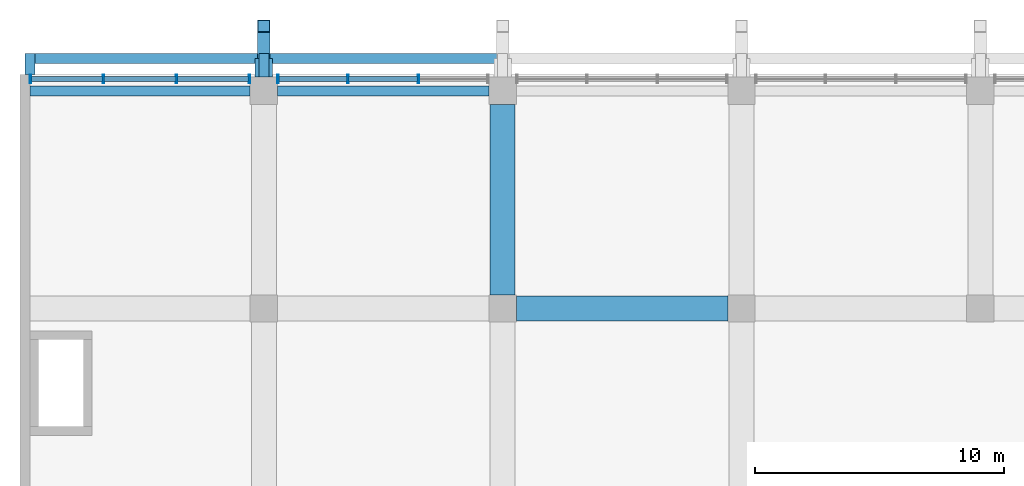
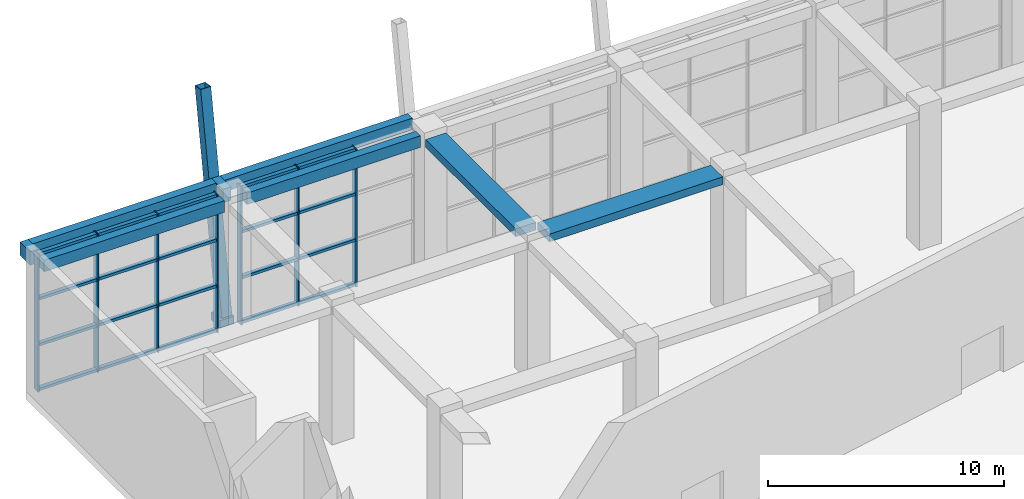
# One storey, part 8 of 36: 28 members, 9 beams, 2 elements without a shape of their own.
"""IFC4 building model written with IfcOpenShell, lengths in metres."""

from ifc_helpers import new_model, si_unit, direction, frame, origin, origin_2d, place, context, subcontext, project, spatial, rectangle, hollow_rectangle, extrude, material, layer, layer_set, material_profile, profile_set, type_object, element, aggregate, save


model = new_model("IFC4")

# Units and contexts
model_context = context("Model", 3, precision=1e-05, world=origin(), true_north=direction((0.0, 1.0)))
body_context = subcontext(model_context, "Body", "Model", "MODEL_VIEW")
ifc_project = project(units=[si_unit("LENGTHUNIT", "METRE"), si_unit("AREAUNIT", "SQUARE_METRE"), si_unit("VOLUMEUNIT", "CUBIC_METRE"), si_unit("PLANEANGLEUNIT", "RADIAN"), si_unit("MASSUNIT", "GRAM", prefix="KILO")], contexts=[model_context])

# Site, building, storey
site_placement = place(None, origin())
site = spatial("IfcSite", under=ifc_project, at=site_placement, CompositionType="ELEMENT")
building_placement = place(site_placement, origin())
building = spatial("IfcBuilding", under=site, at=building_placement, Name="Nzadi Deep Aquarium and Research Tower", CompositionType="ELEMENT")
storey_placement = place(building_placement, frame((0.0, 0.0, 14.199951171875)))
storey = spatial("IfcBuildingStorey", under=building, at=storey_placement, Name="L02", CompositionType="ELEMENT", Elevation=14.199951171875)

# Curtain wall, members
ifc_material_1 = material(Name="Aluminium unitised frame tall span", Category="aluminium")
ifc_layer = layer(ifc_material_1, 0.35009765625)
ifc_layer_set = layer_set([ifc_layer], Name="Aluminium unitised frame tall span")
curtain_wall_type = type_object("IfcCurtainWallType", Name="Curtain wall Podium 350", PredefinedType="NOTDEFINED", material=ifc_layer_set)
curtain_wall_1_placement = place(storey_placement, origin())
curtain_wall_1 = element("IfcCurtainWall", 1, at=curtain_wall_1_placement, inside=storey, type_object=curtain_wall_type, Name="North facade curtain wall L02", PredefinedType="NOTDEFINED")
ifc_material_2 = material(Name="Aluminium unitised frame tall span", Category="aluminium")
ifc_material_profile_1 = material_profile(ifc_material_2, hollow_rectangle(XDim=0.35009765625, YDim=0.06005859375, WallThickness=0.0048828125, at=origin_2d()))
ifc_profile_set_1 = profile_set([ifc_material_profile_1], Name="Aluminium unitised frame tall span")
member_type_1 = type_object("IfcMemberType", Name="Mullion 60x350 Podium", PredefinedType="MULLION", material=ifc_profile_set_1)
member_1_placement = place(storey_placement, frame((0.22998046875, 140.824951171875, 0.0), z_axis=(0.0, 0.0, 1.0), x_axis=(0.0, 1.0, 0.0)))
member_1 = element("IfcMember", 2, at=member_1_placement, type_object=member_type_1, Name="CW249 mullion 1", PredefinedType="MULLION", context=body_context, shape_type="SweptSolid", body=[
    extrude(hollow_rectangle(XDim=0.35009765625, YDim=0.06005859375, WallThickness=0.0048828125, at=origin_2d()), origin(), (0.0, 0.0, 1.0), 7.150146484375),
])
member_2_placement = place(storey_placement, frame((3.14990234375, 140.824951171875, 0.0), z_axis=(0.0, 0.0, 1.0), x_axis=(0.0, 1.0, 0.0)))
member_2 = element("IfcMember", 3, at=member_2_placement, type_object=member_type_1, Name="CW249 mullion 2", PredefinedType="MULLION", context=body_context, shape_type="SweptSolid", body=[
    extrude(hollow_rectangle(XDim=0.35009765625, YDim=0.06005859375, WallThickness=0.0048828125, at=origin_2d()), origin(), (0.0, 0.0, 1.0), 7.150146484375),
])
member_3_placement = place(storey_placement, frame((6.10009765625, 140.824951171875, 0.0), z_axis=(0.0, 0.0, 1.0), x_axis=(0.0, 1.0, 0.0)))
member_3 = element("IfcMember", 4, at=member_3_placement, type_object=member_type_1, Name="CW249 mullion 3", PredefinedType="MULLION", context=body_context, shape_type="SweptSolid", body=[
    extrude(hollow_rectangle(XDim=0.35009765625, YDim=0.06005859375, WallThickness=0.0048828125, at=origin_2d()), origin(), (0.0, 0.0, 1.0), 7.150146484375),
])
member_4_placement = place(storey_placement, frame((9.02001953125, 140.824951171875, 0.0), z_axis=(0.0, 0.0, 1.0), x_axis=(0.0, 1.0, 0.0)))
member_4 = element("IfcMember", 5, at=member_4_placement, type_object=member_type_1, Name="CW249 mullion 4", PredefinedType="MULLION", context=body_context, shape_type="SweptSolid", body=[
    extrude(hollow_rectangle(XDim=0.35009765625, YDim=0.06005859375, WallThickness=0.0048828125, at=origin_2d()), origin(), (0.0, 0.0, 1.0), 7.150146484375),
])

curtain_wall_2_placement = place(storey_placement, origin())
curtain_wall_2 = element("IfcCurtainWall", 6, at=curtain_wall_2_placement, inside=storey, type_object=curtain_wall_type, Name="North facade curtain wall L02", PredefinedType="NOTDEFINED")
member_5_placement = place(storey_placement, frame((10.179931640625, 140.824951171875, 0.0), z_axis=(0.0, 0.0, 1.0), x_axis=(0.0, 1.0, 0.0)))
member_5 = element("IfcMember", 7, at=member_5_placement, type_object=member_type_1, Name="CW250 mullion 1", PredefinedType="MULLION", context=body_context, shape_type="SweptSolid", body=[
    extrude(hollow_rectangle(XDim=0.35009765625, YDim=0.06005859375, WallThickness=0.0048828125, at=origin_2d()), origin(), (0.0, 0.0, 1.0), 7.150146484375),
])
member_6_placement = place(storey_placement, frame((12.9833984375, 140.824951171875, 0.0), z_axis=(0.0, 0.0, 1.0), x_axis=(0.0, 1.0, 0.0)))
member_6 = element("IfcMember", 8, at=member_6_placement, type_object=member_type_1, Name="CW250 mullion 2", PredefinedType="MULLION", context=body_context, shape_type="SweptSolid", body=[
    extrude(hollow_rectangle(XDim=0.35009765625, YDim=0.06005859375, WallThickness=0.0048828125, at=origin_2d()), origin(), (0.0, 0.0, 1.0), 7.150146484375),
])
member_7_placement = place(storey_placement, frame((15.816650390625, 140.824951171875, 0.0), z_axis=(0.0, 0.0, 1.0), x_axis=(0.0, 1.0, 0.0)))
member_7 = element("IfcMember", 9, at=member_7_placement, type_object=member_type_1, Name="CW250 mullion 3", PredefinedType="MULLION", context=body_context, shape_type="SweptSolid", body=[
    extrude(hollow_rectangle(XDim=0.35009765625, YDim=0.06005859375, WallThickness=0.0048828125, at=origin_2d()), origin(), (0.0, 0.0, 1.0), 7.150146484375),
])

# Beams
ifc_material_3 = material(Name="Concrete C35/45", Category="concrete")
ifc_material_profile_2 = material_profile(ifc_material_3, rectangle(XDim=1.0, YDim=0.39990234375, at=origin_2d()))
ifc_profile_set_2 = profile_set([ifc_material_profile_2], Name="Concrete C35/45")
beam_type_1 = type_object("IfcBeamType", Name="RC 1000x400", PredefinedType="BEAM", material=ifc_profile_set_2)
beam_1_placement = place(storey_placement, frame((19.75, 131.60009765625, 6.949951171875), z_axis=(1.0, 0.0, 0.0), x_axis=(0.0, 1.0, 0.0)))
element("IfcBeam", 10, at=beam_1_placement, inside=storey, type_object=beam_type_1, Name="B-Z3-L02-L17-3", PredefinedType="BEAM", context=body_context, shape_type="SweptSolid", body=[
    extrude(rectangle(XDim=1.0, YDim=0.39990234375, at=origin_2d()), origin(), (0.0, 0.0, 1.0), 8.5),
])
beam_2_placement = place(storey_placement, frame((19.199951171875, 132.14990234375, 6.949951171875), z_axis=(0.0, 1.0, 0.0), x_axis=(-1.0, 0.0, 0.0)))
element("IfcBeam", 11, at=beam_2_placement, inside=storey, type_object=beam_type_1, Name="B-Z3-L02-CC-5-13", PredefinedType="BEAM", context=body_context, shape_type="SweptSolid", body=[
    extrude(rectangle(XDim=1.0, YDim=0.39990234375, at=origin_2d()), origin(), (0.0, 0.0, 1.0), 7.650146484375),
])
ifc_material_4 = material(Name="Concrete C35/45", Category="concrete")
ifc_material_profile_3 = material_profile(ifc_material_4, rectangle(XDim=0.39990234375, YDim=0.60009765625, at=origin_2d()))
ifc_profile_set_3 = profile_set([ifc_material_profile_3], Name="Concrete C35/45")
beam_type_2 = type_object("IfcBeamType", Name="RC 400x600", PredefinedType="BEAM", material=ifc_profile_set_3)
beam_3_placement = place(storey_placement, frame((0.199951171875, 140.35009765625, 6.85009765625), z_axis=(1.0, 0.0, 0.0), x_axis=(0.0, 1.0, 0.0)))
element("IfcBeam", 12, at=beam_3_placement, inside=storey, type_object=beam_type_2, Name="B-Z3-L02-L18-1", PredefinedType="BEAM", context=body_context, shape_type="SweptSolid", body=[
    extrude(rectangle(XDim=0.39990234375, YDim=0.60009765625, at=origin_2d()), origin(), (0.0, 0.0, 1.0), 8.85009765625),
])
beam_4_placement = place(storey_placement, frame((10.14990234375, 140.35009765625, 6.85009765625), z_axis=(1.0, 0.0, 0.0), x_axis=(0.0, 1.0, 0.0)))
element("IfcBeam", 13, at=beam_4_placement, inside=storey, type_object=beam_type_2, Name="B-Z3-L02-L18-2", PredefinedType="BEAM", context=body_context, shape_type="SweptSolid", body=[
    extrude(rectangle(XDim=0.39990234375, YDim=0.60009765625, at=origin_2d()), origin(), (0.0, 0.0, 1.0), 8.5),
])
beam_5_placement = place(storey_placement, frame((0.39990234375, 141.64990234375, 6.85009765625), z_axis=(1.0, 0.0, 0.0), x_axis=(0.0, 1.0, 0.0)))
element("IfcBeam", 14, at=beam_5_placement, inside=storey, type_object=beam_type_2, Name="B-Z3-L03-TB1", PredefinedType="BEAM", context=body_context, shape_type="SweptSolid", body=[
    extrude(rectangle(XDim=0.39990234375, YDim=0.60009765625, at=origin_2d()), origin(), (0.0, 0.0, 1.0), 9.0),
])
beam_6_placement = place(storey_placement, frame((9.800048828125, 141.64990234375, 6.85009765625), z_axis=(1.0, 0.0, 0.0), x_axis=(0.0, 1.0, 0.0)))
element("IfcBeam", 15, at=beam_6_placement, inside=storey, type_object=beam_type_2, Name="B-Z3-L03-TB2", PredefinedType="BEAM", context=body_context, shape_type="SweptSolid", body=[
    extrude(rectangle(XDim=0.39990234375, YDim=0.60009765625, at=origin_2d()), origin(), (0.0, 0.0, 1.0), 9.199951171875),
])
ifc_material_5 = material(Name="Concrete C35/45", Category="concrete")
ifc_material_profile_4 = material_profile(ifc_material_5, rectangle(XDim=0.39990234375, YDim=0.699951171875, at=origin_2d()))
ifc_profile_set_4 = profile_set([ifc_material_profile_4], Name="Concrete C35/45")
beam_type_3 = type_object("IfcBeamType", Name="RC 400x700", PredefinedType="BEAM", material=ifc_profile_set_4)
beam_7_placement = place(storey_placement, frame((0.199951171875, 141.0, 6.800048828125), z_axis=(0.0, 1.0, 0.0), x_axis=(-1.0, 0.0, 0.0)))
element("IfcBeam", 16, at=beam_7_placement, inside=storey, type_object=beam_type_3, Name="B-Z3-L03-CB1", PredefinedType="BEAM", context=body_context, shape_type="SweptSolid", body=[
    extrude(rectangle(XDim=0.39990234375, YDim=0.699951171875, at=origin_2d()), origin(), (0.0, 0.0, 1.0), 0.85009765625),
])
beam_8_placement = place(storey_placement, frame((9.60009765625, 140.89990234375, 6.800048828125), z_axis=(0.0, 1.0, 0.0), x_axis=(-1.0, 0.0, 0.0)))
element("IfcBeam", 17, at=beam_8_placement, inside=storey, type_object=beam_type_3, Name="B-Z3-L03-CB2", PredefinedType="BEAM", context=body_context, shape_type="SweptSolid", body=[
    extrude(rectangle(XDim=0.39990234375, YDim=0.699951171875, at=origin_2d()), origin(), (0.0, 0.0, 1.0), 0.9501953125),
])
ifc_material_6 = material(Name="Concrete C35/45", Category="concrete")
ifc_material_profile_5 = material_profile(ifc_material_6, rectangle(XDim=0.699951171875, YDim=0.39990234375, at=origin_2d()))
ifc_profile_set_5 = profile_set([ifc_material_profile_5], Name="Concrete C35/45")
beam_type_4 = type_object("IfcBeamType", Name="RC 700x400", PredefinedType="BEAM", material=ifc_profile_set_5)
beam_9_placement = place(storey_placement, frame((9.60009765625, 140.89990234375, 0.199951171875), z_axis=(0.0, 1.0, 0.0), x_axis=(-1.0, 0.0, 0.0)))
element("IfcBeam", 18, at=beam_9_placement, inside=storey, type_object=beam_type_4, Name="Strut seat corbel", PredefinedType="BEAM", context=body_context, shape_type="SweptSolid", body=[
    extrude(rectangle(XDim=0.699951171875, YDim=0.39990234375, at=origin_2d()), origin(), (0.0, 0.0, 1.0), 0.7431640625),
])

# Member
ifc_material_7 = material(Name="Steel S355", Category="steel")
ifc_material_profile_6 = material_profile(ifc_material_7, hollow_rectangle(XDim=0.5, YDim=0.5, WallThickness=0.02490234375, at=origin_2d()))
ifc_profile_set_6 = profile_set([ifc_material_profile_6], Name="Steel S355")
member_type_2 = type_object("IfcMemberType", Name="RHS 500x500x25", PredefinedType="BRACE", material=ifc_profile_set_6)
member_8_placement = place(storey_placement, frame((9.60009765625, 141.146484375, 0.44140625), z_axis=(0.0, 0.165193111331, 0.986261241238), x_axis=(-1.0, 0.0, 0.0)))
element("IfcMember", 19, at=member_8_placement, inside=storey, type_object=member_type_2, Name="MB-Z3-CAS-STRUT1", PredefinedType="BRACE", context=body_context, shape_type="SweptSolid", body=[
    extrude(hollow_rectangle(XDim=0.5, YDim=0.5, WallThickness=0.02490234375, at=origin_2d()), origin(), (0.0, 0.0, 1.0), 10.917236328125),
])

ifc_material_8 = material(Name="Aluminium unitised frame tall span", Category="aluminium")
ifc_material_profile_7 = material_profile(ifc_material_8, hollow_rectangle(XDim=0.199951171875, YDim=0.139892578125, WallThickness=0.0048828125, at=origin_2d()))
ifc_profile_set_7 = profile_set([ifc_material_profile_7], Name="Aluminium unitised frame tall span")
member_type_3 = type_object("IfcMemberType", Name="Transom 140x200 Podium", PredefinedType="MULLION", material=ifc_profile_set_7)
member_9_placement = place(storey_placement, frame((0.260009765625, 140.824951171875, 0.070068359375), z_axis=(1.0, 0.0, 0.0), x_axis=(0.0, 1.0, 0.0)))
member_9 = element("IfcMember", 20, at=member_9_placement, type_object=member_type_3, Name="CW249 transom 1.1", PredefinedType="MULLION", context=body_context, shape_type="SweptSolid", body=[
    extrude(hollow_rectangle(XDim=0.199951171875, YDim=0.139892578125, WallThickness=0.0048828125, at=origin_2d()), origin(), (0.0, 0.0, 1.0), 2.860107421875),
])

member_10_placement = place(storey_placement, frame((0.260009765625, 140.824951171875, 2.383056640625), z_axis=(1.0, 0.0, 0.0), x_axis=(0.0, 1.0, 0.0)))
member_10 = element("IfcMember", 21, at=member_10_placement, type_object=member_type_3, Name="CW249 transom 1.2", PredefinedType="MULLION", context=body_context, shape_type="SweptSolid", body=[
    extrude(hollow_rectangle(XDim=0.199951171875, YDim=0.139892578125, WallThickness=0.0048828125, at=origin_2d()), origin(), (0.0, 0.0, 1.0), 2.860107421875),
])

member_11_placement = place(storey_placement, frame((0.260009765625, 140.824951171875, 4.76708984375), z_axis=(1.0, 0.0, 0.0), x_axis=(0.0, 1.0, 0.0)))
member_11 = element("IfcMember", 22, at=member_11_placement, type_object=member_type_3, Name="CW249 transom 1.3", PredefinedType="MULLION", context=body_context, shape_type="SweptSolid", body=[
    extrude(hollow_rectangle(XDim=0.199951171875, YDim=0.139892578125, WallThickness=0.0048828125, at=origin_2d()), origin(), (0.0, 0.0, 1.0), 2.860107421875),
])

member_12_placement = place(storey_placement, frame((0.260009765625, 140.824951171875, 7.080078125), z_axis=(1.0, 0.0, 0.0), x_axis=(0.0, 1.0, 0.0)))
member_12 = element("IfcMember", 23, at=member_12_placement, type_object=member_type_3, Name="CW249 transom 1.4", PredefinedType="MULLION", context=body_context, shape_type="SweptSolid", body=[
    extrude(hollow_rectangle(XDim=0.199951171875, YDim=0.139892578125, WallThickness=0.0048828125, at=origin_2d()), origin(), (0.0, 0.0, 1.0), 2.860107421875),
])

member_13_placement = place(storey_placement, frame((3.179931640625, 140.824951171875, 0.070068359375), z_axis=(1.0, 0.0, 0.0), x_axis=(0.0, 1.0, 0.0)))
member_13 = element("IfcMember", 24, at=member_13_placement, type_object=member_type_3, Name="CW249 transom 2.1", PredefinedType="MULLION", context=body_context, shape_type="SweptSolid", body=[
    extrude(hollow_rectangle(XDim=0.199951171875, YDim=0.139892578125, WallThickness=0.0048828125, at=origin_2d()), origin(), (0.0, 0.0, 1.0), 2.89013671875),
])

member_14_placement = place(storey_placement, frame((3.179931640625, 140.824951171875, 2.383056640625), z_axis=(1.0, 0.0, 0.0), x_axis=(0.0, 1.0, 0.0)))
member_14 = element("IfcMember", 25, at=member_14_placement, type_object=member_type_3, Name="CW249 transom 2.2", PredefinedType="MULLION", context=body_context, shape_type="SweptSolid", body=[
    extrude(hollow_rectangle(XDim=0.199951171875, YDim=0.139892578125, WallThickness=0.0048828125, at=origin_2d()), origin(), (0.0, 0.0, 1.0), 2.89013671875),
])

member_15_placement = place(storey_placement, frame((3.179931640625, 140.824951171875, 4.76708984375), z_axis=(1.0, 0.0, 0.0), x_axis=(0.0, 1.0, 0.0)))
member_15 = element("IfcMember", 26, at=member_15_placement, type_object=member_type_3, Name="CW249 transom 2.3", PredefinedType="MULLION", context=body_context, shape_type="SweptSolid", body=[
    extrude(hollow_rectangle(XDim=0.199951171875, YDim=0.139892578125, WallThickness=0.0048828125, at=origin_2d()), origin(), (0.0, 0.0, 1.0), 2.89013671875),
])

member_16_placement = place(storey_placement, frame((3.179931640625, 140.824951171875, 7.080078125), z_axis=(1.0, 0.0, 0.0), x_axis=(0.0, 1.0, 0.0)))
member_16 = element("IfcMember", 27, at=member_16_placement, type_object=member_type_3, Name="CW249 transom 2.4", PredefinedType="MULLION", context=body_context, shape_type="SweptSolid", body=[
    extrude(hollow_rectangle(XDim=0.199951171875, YDim=0.139892578125, WallThickness=0.0048828125, at=origin_2d()), origin(), (0.0, 0.0, 1.0), 2.89013671875),
])

member_17_placement = place(storey_placement, frame((6.1298828125, 140.824951171875, 0.070068359375), z_axis=(1.0, 0.0, 0.0), x_axis=(0.0, 1.0, 0.0)))
member_17 = element("IfcMember", 28, at=member_17_placement, type_object=member_type_3, Name="CW249 transom 3.1", PredefinedType="MULLION", context=body_context, shape_type="SweptSolid", body=[
    extrude(hollow_rectangle(XDim=0.199951171875, YDim=0.139892578125, WallThickness=0.0048828125, at=origin_2d()), origin(), (0.0, 0.0, 1.0), 2.860107421875),
])

member_18_placement = place(storey_placement, frame((6.1298828125, 140.824951171875, 2.383056640625), z_axis=(1.0, 0.0, 0.0), x_axis=(0.0, 1.0, 0.0)))
member_18 = element("IfcMember", 29, at=member_18_placement, type_object=member_type_3, Name="CW249 transom 3.2", PredefinedType="MULLION", context=body_context, shape_type="SweptSolid", body=[
    extrude(hollow_rectangle(XDim=0.199951171875, YDim=0.139892578125, WallThickness=0.0048828125, at=origin_2d()), origin(), (0.0, 0.0, 1.0), 2.860107421875),
])

member_19_placement = place(storey_placement, frame((6.1298828125, 140.824951171875, 4.76708984375), z_axis=(1.0, 0.0, 0.0), x_axis=(0.0, 1.0, 0.0)))
member_19 = element("IfcMember", 30, at=member_19_placement, type_object=member_type_3, Name="CW249 transom 3.3", PredefinedType="MULLION", context=body_context, shape_type="SweptSolid", body=[
    extrude(hollow_rectangle(XDim=0.199951171875, YDim=0.139892578125, WallThickness=0.0048828125, at=origin_2d()), origin(), (0.0, 0.0, 1.0), 2.860107421875),
])

member_20_placement = place(storey_placement, frame((6.1298828125, 140.824951171875, 7.080078125), z_axis=(1.0, 0.0, 0.0), x_axis=(0.0, 1.0, 0.0)))
member_20 = element("IfcMember", 31, at=member_20_placement, type_object=member_type_3, Name="CW249 transom 3.4", PredefinedType="MULLION", context=body_context, shape_type="SweptSolid", body=[
    extrude(hollow_rectangle(XDim=0.199951171875, YDim=0.139892578125, WallThickness=0.0048828125, at=origin_2d()), origin(), (0.0, 0.0, 1.0), 2.860107421875),
])

aggregate(curtain_wall_1, [member_1, member_2, member_3, member_4, member_9, member_10, member_11, member_12, member_13, member_14, member_15, member_16, member_17, member_18, member_19, member_20])

member_21_placement = place(storey_placement, frame((10.2099609375, 140.824951171875, 0.070068359375), z_axis=(1.0, 0.0, 0.0), x_axis=(0.0, 1.0, 0.0)))
member_21 = element("IfcMember", 32, at=member_21_placement, type_object=member_type_3, Name="CW250 transom 1.1", PredefinedType="MULLION", context=body_context, shape_type="SweptSolid", body=[
    extrude(hollow_rectangle(XDim=0.199951171875, YDim=0.139892578125, WallThickness=0.0048828125, at=origin_2d()), origin(), (0.0, 0.0, 1.0), 2.743408203125),
])

member_22_placement = place(storey_placement, frame((10.2099609375, 140.824951171875, 2.383056640625), z_axis=(1.0, 0.0, 0.0), x_axis=(0.0, 1.0, 0.0)))
member_22 = element("IfcMember", 33, at=member_22_placement, type_object=member_type_3, Name="CW250 transom 1.2", PredefinedType="MULLION", context=body_context, shape_type="SweptSolid", body=[
    extrude(hollow_rectangle(XDim=0.199951171875, YDim=0.139892578125, WallThickness=0.0048828125, at=origin_2d()), origin(), (0.0, 0.0, 1.0), 2.743408203125),
])

member_23_placement = place(storey_placement, frame((10.2099609375, 140.824951171875, 4.76708984375), z_axis=(1.0, 0.0, 0.0), x_axis=(0.0, 1.0, 0.0)))
member_23 = element("IfcMember", 34, at=member_23_placement, type_object=member_type_3, Name="CW250 transom 1.3", PredefinedType="MULLION", context=body_context, shape_type="SweptSolid", body=[
    extrude(hollow_rectangle(XDim=0.199951171875, YDim=0.139892578125, WallThickness=0.0048828125, at=origin_2d()), origin(), (0.0, 0.0, 1.0), 2.743408203125),
])

member_24_placement = place(storey_placement, frame((10.2099609375, 140.824951171875, 7.080078125), z_axis=(1.0, 0.0, 0.0), x_axis=(0.0, 1.0, 0.0)))
member_24 = element("IfcMember", 35, at=member_24_placement, type_object=member_type_3, Name="CW250 transom 1.4", PredefinedType="MULLION", context=body_context, shape_type="SweptSolid", body=[
    extrude(hollow_rectangle(XDim=0.199951171875, YDim=0.139892578125, WallThickness=0.0048828125, at=origin_2d()), origin(), (0.0, 0.0, 1.0), 2.743408203125),
])

member_25_placement = place(storey_placement, frame((13.013427734375, 140.824951171875, 0.070068359375), z_axis=(1.0, 0.0, 0.0), x_axis=(0.0, 1.0, 0.0)))
member_25 = element("IfcMember", 36, at=member_25_placement, type_object=member_type_3, Name="CW250 transom 2.1", PredefinedType="MULLION", context=body_context, shape_type="SweptSolid", body=[
    extrude(hollow_rectangle(XDim=0.199951171875, YDim=0.139892578125, WallThickness=0.0048828125, at=origin_2d()), origin(), (0.0, 0.0, 1.0), 2.773193359375),
])

member_26_placement = place(storey_placement, frame((13.013427734375, 140.824951171875, 2.383056640625), z_axis=(1.0, 0.0, 0.0), x_axis=(0.0, 1.0, 0.0)))
member_26 = element("IfcMember", 37, at=member_26_placement, type_object=member_type_3, Name="CW250 transom 2.2", PredefinedType="MULLION", context=body_context, shape_type="SweptSolid", body=[
    extrude(hollow_rectangle(XDim=0.199951171875, YDim=0.139892578125, WallThickness=0.0048828125, at=origin_2d()), origin(), (0.0, 0.0, 1.0), 2.773193359375),
])

member_27_placement = place(storey_placement, frame((13.013427734375, 140.824951171875, 4.76708984375), z_axis=(1.0, 0.0, 0.0), x_axis=(0.0, 1.0, 0.0)))
member_27 = element("IfcMember", 38, at=member_27_placement, type_object=member_type_3, Name="CW250 transom 2.3", PredefinedType="MULLION", context=body_context, shape_type="SweptSolid", body=[
    extrude(hollow_rectangle(XDim=0.199951171875, YDim=0.139892578125, WallThickness=0.0048828125, at=origin_2d()), origin(), (0.0, 0.0, 1.0), 2.773193359375),
])

member_28_placement = place(storey_placement, frame((13.013427734375, 140.824951171875, 7.080078125), z_axis=(1.0, 0.0, 0.0), x_axis=(0.0, 1.0, 0.0)))
member_28 = element("IfcMember", 39, at=member_28_placement, type_object=member_type_3, Name="CW250 transom 2.4", PredefinedType="MULLION", context=body_context, shape_type="SweptSolid", body=[
    extrude(hollow_rectangle(XDim=0.199951171875, YDim=0.139892578125, WallThickness=0.0048828125, at=origin_2d()), origin(), (0.0, 0.0, 1.0), 2.773193359375),
])

aggregate(curtain_wall_2, [member_5, member_6, member_7, member_21, member_22, member_23, member_24, member_25, member_26, member_27, member_28])

save(model, "model.ifc")
